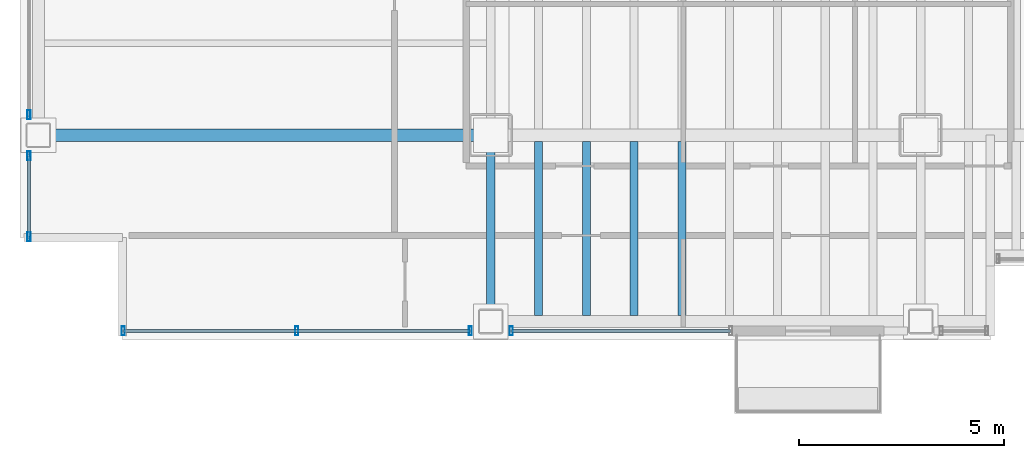
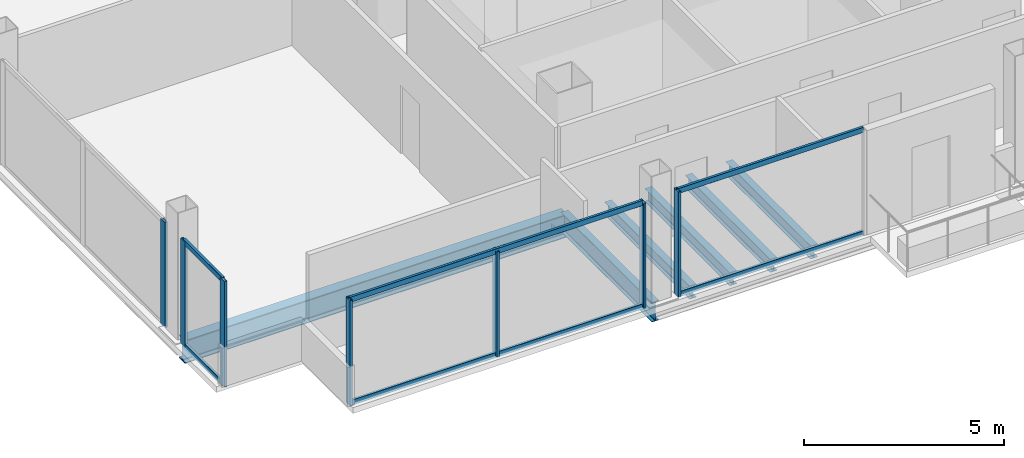
# One storey, part 2 of 21: 13 members, 6 beams, 4 elements without a shape of their own.
"""IFC4 building model written with IfcOpenShell, lengths in metres."""

import ifcopenshell
import ifcopenshell.guid

model = None  # the IFC model being written
_history = None  # IfcOwnerHistory: only IFC2X3 demands one
_inside = {}  # id of a spatial element -> (the spatial element, [elements in it])
_under = {}  # id of a project, library or spatial element -> (it, [spatial elements below it])
_declared = {}  # id of a project -> (the project, [libraries it declares])
_typed = {}  # id of a type object -> (the type object, [elements of that type])
_made_of = {}  # id of a material, layer set ... -> (it, [elements and type objects made of it])


def new_model(schema):
    """Start an empty IFC model of exactly this schema.

    Asked for "IFC4X3", IfcOpenShell would pick the latest addendum, in which some entities
    have other attributes; the version numbers below select the first issue.
    IFC2X3 requires an IfcOwnerHistory on every rooted entity: one is made here for all.
    """
    global model, _history
    if schema == "IFC4X3":
        model = ifcopenshell.file(schema_version=(4, 3, 0, 0))
    else:
        model = ifcopenshell.file(schema=schema)
    _inside.clear()
    _under.clear()
    _declared.clear()
    _typed.clear()
    _made_of.clear()
    _history = None
    if model.schema == "IFC2X3":
        org = make("IfcOrganization", Name="unknown")
        user = make(
            "IfcPersonAndOrganization",
            ThePerson=make("IfcPerson", FamilyName="unknown"),
            TheOrganization=org,
        )
        app = make(
            "IfcApplication",
            ApplicationDeveloper=org,
            Version="unknown",
            ApplicationFullName="unknown",
            ApplicationIdentifier="unknown",
        )
        _history = make(
            "IfcOwnerHistory",
            OwningUser=user,
            OwningApplication=app,
            ChangeAction="ADDED",
            CreationDate=0,
        )
    return model


def make(cls, **values):
    """One entity of the class cls with the attributes given. An attribute that is None is left unset."""
    return model.create_entity(
        cls, **{name: value for name, value in values.items() if value is not None}
    )


def rooted(cls, **values):
    """An entity with a GlobalId (a new one), such as an element, a storey or a relation."""
    return make(cls, GlobalId=ifcopenshell.guid.new(), OwnerHistory=_history, **values)


def si_unit(unit_type, name, prefix=None):
    """IfcSIUnit, for example si_unit("LENGTHUNIT", "METRE", prefix="MILLI")."""
    return make("IfcSIUnit", UnitType=unit_type, Prefix=prefix, Name=name)


def assignment(units):
    """IfcUnitAssignment: the units of a project."""
    return None if units is None else make("IfcUnitAssignment", Units=units)


def point(xyz):
    """IfcCartesianPoint."""
    return None if xyz is None else make("IfcCartesianPoint", Coordinates=xyz)


def direction(xyz):
    """IfcDirection."""
    return None if xyz is None else make("IfcDirection", DirectionRatios=xyz)


def frame(location, z_axis=None, x_axis=None):
    """IfcAxis2Placement3D, a coordinate frame: its origin and axes. An axis left out is left unset."""
    return make(
        "IfcAxis2Placement3D",
        Location=point(location),
        Axis=direction(z_axis),
        RefDirection=direction(x_axis),
    )


def frame_2d(location, x_axis=None):
    """IfcAxis2Placement2D, a coordinate frame in the plane: its origin and x axis."""
    return make(
        "IfcAxis2Placement2D", Location=point(location), RefDirection=direction(x_axis)
    )


def origin():
    """The frame at (0, 0, 0) with its axes left unset."""
    return frame((0.0, 0.0, 0.0))


def origin_2d():
    """The frame at (0, 0) in the plane with its x axis left unset."""
    return frame_2d((0.0, 0.0))


def place(relative_to, where):
    """IfcLocalPlacement: puts the frame where relative to a parent placement (None: the world)."""
    return make(
        "IfcLocalPlacement", PlacementRelTo=relative_to, RelativePlacement=where
    )


def context(
    kind, dimensions, precision=None, world=None, true_north=None, identifier=None
):
    """IfcGeometricRepresentationContext, for example the 3D "Model" context."""
    return make(
        "IfcGeometricRepresentationContext",
        ContextIdentifier=identifier,
        ContextType=kind,
        CoordinateSpaceDimension=dimensions,
        Precision=precision,
        WorldCoordinateSystem=world,
        TrueNorth=true_north,
    )


def subcontext(parent, identifier, kind, view, scale=None):
    """IfcGeometricRepresentationSubContext, for example "Body" below "Model"."""
    return make(
        "IfcGeometricRepresentationSubContext",
        ContextIdentifier=identifier,
        ContextType=kind,
        ParentContext=parent,
        TargetScale=scale,
        TargetView=view,
    )


def project(units=None, contexts=None):
    """IfcProject with its units and contexts."""
    return rooted(
        "IfcProject",
        Name="project",
        RepresentationContexts=contexts,
        UnitsInContext=assignment(units),
    )


def spatial(cls, under=None, at=None, **own):
    """A site, building, storey or space (cls), placed at a placement, below another one or the project."""
    s = rooted(cls, ObjectPlacement=at, **own)
    if under is not None:
        _under.setdefault(under.id(), (under, []))[1].append(s)
    return s


def profile(cls, at=None, kind="AREA", **sizes):
    """A parametric profile (cls). Its sizes go by their IFC names, for example OverallWidth=200.0."""
    return make(cls, ProfileType=kind, Position=at, **sizes)


def hollow_rectangle(**sizes):
    """IfcRectangleHollowProfileDef."""
    return profile("IfcRectangleHollowProfileDef", **sizes)


def i_section(**sizes):
    """IfcIShapeProfileDef."""
    return profile("IfcIShapeProfileDef", **sizes)


def extrude(swept, where, along, depth):
    """IfcExtrudedAreaSolid: the profile swept, set in the frame where, extruded along a direction by depth."""
    return make(
        "IfcExtrudedAreaSolid",
        SweptArea=swept,
        Position=where,
        ExtrudedDirection=direction(along),
        Depth=depth,
    )


def shape(context_of_items, identifier, shape_type, items):
    """IfcShapeRepresentation: the items that make up one representation, for example the "Body"."""
    return make(
        "IfcShapeRepresentation",
        ContextOfItems=context_of_items,
        RepresentationIdentifier=identifier,
        RepresentationType=shape_type,
        Items=items,
    )


def material(Name=None, Category=None):
    """IfcMaterial."""
    return make("IfcMaterial", Name=Name, Category=Category)


def material_profile(
    of_material, cross_section, Name=None, Category=None, Priority=None
):
    """IfcMaterialProfile: a cross section and its material."""
    return make(
        "IfcMaterialProfile",
        Name=Name,
        Material=of_material,
        Profile=cross_section,
        Priority=Priority,
        Category=Category,
    )


def profile_set(profiles, Name=None, composite=None):
    """IfcMaterialProfileSet."""
    return make(
        "IfcMaterialProfileSet",
        Name=Name,
        MaterialProfiles=profiles,
        CompositeProfile=composite,
    )


def made_of(thing, what):
    """Note that an element or type object is made of a material, layer set ...; save() writes the relation."""
    if what is not None:
        _made_of.setdefault(what.id(), (what, []))[1].append(thing)
    return thing


def type_object(cls, material=None, **own):
    """A type object (cls), such as IfcWallType, which elements share."""
    return made_of(rooted(cls, **own), material)


def element(
    cls,
    number,
    at=None,
    inside=None,
    cuts=None,
    type_object=None,
    material=None,
    context=None,
    identifier="Body",
    shape_type=None,
    held_by="IfcProductDefinitionShape",
    body=None,
    shapes=None,
    **own,
):
    """One element of the class cls, such as IfcWall. Its Tag is "e" and its number.

    at: its placement. inside: the storey or other place that contains it. cuts: it is an
    opening in that element (IfcRelVoidsElement). A single representation is given by context,
    identifier, shape_type and body (its items); several are given by shapes. held_by: the class
    of the entity that holds the representations. save() writes the other relations.
    """
    e = rooted(cls, Tag="e%d" % number, ObjectPlacement=at, **own)
    if body is not None:
        shapes = [shape(context, identifier, shape_type, body)]
    if shapes is not None:
        e.Representation = make(held_by, Representations=shapes)
    if inside is not None:
        _inside.setdefault(inside.id(), (inside, []))[1].append(e)
    if cuts is not None:
        rooted(
            "IfcRelVoidsElement", RelatingBuildingElement=cuts, RelatedOpeningElement=e
        )
    if type_object is not None:
        _typed.setdefault(type_object.id(), (type_object, []))[1].append(e)
    return made_of(e, material)


def aggregate(whole, parts):
    """IfcRelAggregates: a whole, such as a stair, and the parts it consists of."""
    return rooted("IfcRelAggregates", RelatingObject=whole, RelatedObjects=parts)


def save(model, path):
    """Write the relations noted so far, then the file.

    IfcRelAggregates (storeys below a building ...), IfcRelContainedInSpatialStructure (elements
    in a storey), IfcRelDefinesByType, IfcRelAssociatesMaterial and IfcRelDeclares: one each for
    every whole, place, type object, material and project.
    """
    for whole, parts in _under.values():
        aggregate(whole, parts)
    for where, things in _inside.values():
        rooted(
            "IfcRelContainedInSpatialStructure",
            RelatedElements=things,
            RelatingStructure=where,
        )
    for kind, things in _typed.values():
        rooted("IfcRelDefinesByType", RelatedObjects=things, RelatingType=kind)
    for what, things in _made_of.values():
        rooted("IfcRelAssociatesMaterial", RelatedObjects=things, RelatingMaterial=what)
    for by, libraries in _declared.values():
        rooted("IfcRelDeclares", RelatingContext=by, RelatedDefinitions=libraries)
    model.write(path)


model = new_model("IFC4")

# Units and contexts
model_context = context("Model", 3, precision=1e-05, world=origin(), true_north=direction((0.0, 1.0)))
body_context = subcontext(model_context, "Body", "Model", "MODEL_VIEW")
ifc_project = project(units=[si_unit("LENGTHUNIT", "METRE"), si_unit("AREAUNIT", "SQUARE_METRE"), si_unit("VOLUMEUNIT", "CUBIC_METRE"), si_unit("PLANEANGLEUNIT", "RADIAN"), si_unit("MASSUNIT", "GRAM", prefix="KILO")], contexts=[model_context])

# Site, building, storey
site_placement = place(None, origin())
site = spatial("IfcSite", under=ifc_project, at=site_placement, CompositionType="ELEMENT")
building_placement = place(site_placement, origin())
building = spatial("IfcBuilding", under=site, at=building_placement, Name="Noeulbin Bourse Tower", CompositionType="ELEMENT")
storey_placement = place(building_placement, frame((0.0, 0.0, 46.0)))
storey = spatial("IfcBuildingStorey", under=building, at=storey_placement, Name="L11", CompositionType="ELEMENT", Elevation=46.0)

# Beams
ifc_material_1 = material(Name="Steel S355", Category="steel")
ifc_material_profile_1 = material_profile(ifc_material_1, i_section(OverallWidth=0.199951171875, OverallDepth=0.60009765625, WebThickness=0.010986328125, FlangeThickness=0.01708984375, FilletRadius=0.02197265625, at=origin_2d()), Name="H-600x200x11x17", Category="LoadBearing")
ifc_profile_set_1 = profile_set([ifc_material_profile_1], Name="Steel S355")
beam_type_1 = type_object("IfcBeamType", Name="BM-GRD-600", PredefinedType="USERDEFINED", material=ifc_profile_set_1)
beam_1_placement = place(storey_placement, frame((13.5, 15.449951171875, -0.47998046875), z_axis=(0.0, 1.0, 0.0), x_axis=(-1.0, 0.0, 0.0)))
element("IfcBeam", 1, at=beam_1_placement, inside=storey, type_object=beam_type_1, Name="Tower Primary Girder NS L11-1.1", ObjectType="GIRDER", PredefinedType="USERDEFINED", context=body_context, shape_type="SweptSolid", body=[
    extrude(i_section(OverallWidth=0.199951171875, OverallDepth=0.60009765625, WebThickness=0.010986328125, FlangeThickness=0.01708984375, FilletRadius=0.02197265625, at=origin_2d()), origin(), (0.0, 0.0, 1.0), 4.550048828125),
])
ifc_material_profile_2 = material_profile(ifc_material_1, i_section(OverallWidth=0.300048828125, OverallDepth=0.699951171875, WebThickness=0.012939453125, FlangeThickness=0.02392578125, FilletRadius=0.02392578125, at=origin_2d()), Name="H-700x300x13x24", Category="LoadBearing")
ifc_profile_set_2 = profile_set([ifc_material_profile_2], Name="Steel S355")
beam_type_2 = type_object("IfcBeamType", Name="BM-GRD-700", PredefinedType="USERDEFINED", material=ifc_profile_set_2)
beam_2_placement = place(storey_placement, frame((2.449951171875, 20.0, -0.530029296875), z_axis=(1.0, 0.0, 0.0), x_axis=(0.0, 1.0, 0.0)))
element("IfcBeam", 2, at=beam_2_placement, inside=storey, type_object=beam_type_2, Name="Tower Primary Girder EW L11-1.1", ObjectType="GIRDER", PredefinedType="USERDEFINED", context=body_context, shape_type="SweptSolid", body=[
    extrude(i_section(OverallWidth=0.300048828125, OverallDepth=0.699951171875, WebThickness=0.012939453125, FlangeThickness=0.02392578125, FilletRadius=0.02392578125, at=origin_2d()), origin(), (0.0, 0.0, 1.0), 11.050048828125),
])
ifc_material_profile_3 = material_profile(ifc_material_1, i_section(OverallWidth=0.199951171875, OverallDepth=0.39990234375, WebThickness=0.008056640625, FlangeThickness=0.012939453125, FilletRadius=0.01611328125, at=origin_2d()), Name="H-400x200x8x13", Category="LoadBearing")
ifc_profile_set_3 = profile_set([ifc_material_profile_3], Name="Steel S355")
beam_type_3 = type_object("IfcBeamType", Name="BM-SEC-400", PredefinedType="BEAM", material=ifc_profile_set_3)
for number, where, z_axis, x_axis, name in (
    (3, (14.666748046875, 15.60009765625, -0.3798828125), (0.0, 1.0, 0.0), (-1.0, 0.0, 0.0), "Tower Composite Joist L11-01"),
    (4, (15.833251953125, 15.60009765625, -0.3798828125), (0.0, 1.0, 0.0), (-1.0, 0.0, 0.0), "Tower Composite Joist L11-04"),
    (5, (17.0, 15.60009765625, -0.3798828125), (0.0, 1.0, 0.0), (-1.0, 0.0, 0.0), "Tower Composite Joist L11-07"),
    (6, (18.166748046875, 15.60009765625, -0.3798828125), (0.0, 1.0, 0.0), (-1.0, 0.0, 0.0), "Tower Composite Joist L11-10"),
):
    element("IfcBeam", number, at=place(storey_placement, frame(where, z_axis=z_axis, x_axis=x_axis)), inside=storey, type_object=beam_type_3, Name=name, PredefinedType="BEAM", context=body_context, shape_type="SweptSolid", body=[
        extrude(i_section(OverallWidth=0.199951171875, OverallDepth=0.39990234375, WebThickness=0.008056640625, FlangeThickness=0.012939453125, FilletRadius=0.01611328125, at=origin_2d()), origin(), (0.0, 0.0, 1.0), 4.25),
    ])

# Curtain wall, members
ifc_material_2 = material(Name="Dark Solar-Control Double Glazing", Category="glass")
curtain_wall_type = type_object("IfcCurtainWallType", Name="CW-SYS-2", PredefinedType="NOTDEFINED", material=ifc_material_2)
curtain_wall_1_placement = place(storey_placement, origin())
curtain_wall_1 = element("IfcCurtainWall", 7, at=curtain_wall_1_placement, inside=storey, type_object=curtain_wall_type, Name="Unitised Curtain Wall CW-L11-S1-S1", PredefinedType="NOTDEFINED")
ifc_material_3 = material(Name="Anodised Aluminium 6063-T6", Category="aluminium")
ifc_material_profile_4 = material_profile(ifc_material_3, hollow_rectangle(XDim=0.074951171875, YDim=0.219970703125, WallThickness=0.0048828125, InnerFilletRadius=0.00244140625, OuterFilletRadius=0.0048828125, at=origin_2d()), Name="ALU-MULL-75x220x5", Category="LoadBearing")
ifc_profile_set_4 = profile_set([ifc_material_profile_4], Name="Anodised Aluminium 6063-T6")
member_type_1 = type_object("IfcMemberType", Name="CW-SYS-2-MUL", PredefinedType="MULLION", material=ifc_profile_set_4)
member_1_placement = place(storey_placement, frame((4.52001953125, 15.219970703125, -0.02001953125), z_axis=(0.0, 0.0, 1.0), x_axis=(1.0, 0.0, 0.0)))
member_1 = element("IfcMember", 8, at=member_1_placement, type_object=member_type_1, Name="Curtain Wall Mullion CW-L11-S1-S1-M00", PredefinedType="MULLION", context=body_context, shape_type="SweptSolid", body=[
    extrude(hollow_rectangle(XDim=0.074951171875, YDim=0.219970703125, WallThickness=0.0048828125, InnerFilletRadius=0.00244140625, OuterFilletRadius=0.0048828125, at=origin_2d()), origin(), (0.0, 0.0, 1.0), 3.219970703125),
])
member_2_placement = place(storey_placement, frame((8.760009765625, 15.219970703125, -0.02001953125), z_axis=(0.0, 0.0, 1.0), x_axis=(1.0, 0.0, 0.0)))
member_2 = element("IfcMember", 9, at=member_2_placement, type_object=member_type_1, Name="Curtain Wall Mullion CW-L11-S1-S1-M01", PredefinedType="MULLION", context=body_context, shape_type="SweptSolid", body=[
    extrude(hollow_rectangle(XDim=0.074951171875, YDim=0.219970703125, WallThickness=0.0048828125, InnerFilletRadius=0.00244140625, OuterFilletRadius=0.0048828125, at=origin_2d()), origin(), (0.0, 0.0, 1.0), 3.219970703125),
])
member_3_placement = place(storey_placement, frame((13.0, 15.219970703125, -0.02001953125), z_axis=(0.0, 0.0, 1.0), x_axis=(1.0, 0.0, 0.0)))
member_3 = element("IfcMember", 10, at=member_3_placement, type_object=member_type_1, Name="Curtain Wall Mullion CW-L11-S1-S1-M02", PredefinedType="MULLION", context=body_context, shape_type="SweptSolid", body=[
    extrude(hollow_rectangle(XDim=0.074951171875, YDim=0.219970703125, WallThickness=0.0048828125, InnerFilletRadius=0.00244140625, OuterFilletRadius=0.0048828125, at=origin_2d()), origin(), (0.0, 0.0, 1.0), 3.219970703125),
])

# Curtain wall, member
curtain_wall_2_placement = place(storey_placement, origin())
curtain_wall_2 = element("IfcCurtainWall", 11, at=curtain_wall_2_placement, inside=storey, type_object=curtain_wall_type, Name="Unitised Curtain Wall CW-L11-S1-S2", PredefinedType="NOTDEFINED")
member_4_placement = place(storey_placement, frame((14.0, 15.219970703125, -0.02001953125), z_axis=(0.0, 0.0, 1.0), x_axis=(1.0, 0.0, 0.0)))
member_4 = element("IfcMember", 12, at=member_4_placement, type_object=member_type_1, Name="Curtain Wall Mullion CW-L11-S1-S2-M00", PredefinedType="MULLION", context=body_context, shape_type="SweptSolid", body=[
    extrude(hollow_rectangle(XDim=0.074951171875, YDim=0.219970703125, WallThickness=0.0048828125, InnerFilletRadius=0.00244140625, OuterFilletRadius=0.0048828125, at=origin_2d()), origin(), (0.0, 0.0, 1.0), 3.219970703125),
])

# Curtain wall, members
curtain_wall_3_placement = place(storey_placement, origin())
curtain_wall_3 = element("IfcCurtainWall", 13, at=curtain_wall_3_placement, inside=storey, type_object=curtain_wall_type, Name="Unitised Curtain Wall CW-L11-W-S1", PredefinedType="NOTDEFINED")
member_5_placement = place(storey_placement, frame((2.219970703125, 17.52001953125, -0.02001953125), z_axis=(0.0, 0.0, 1.0), x_axis=(1.0, 0.0, 0.0)))
member_5 = element("IfcMember", 14, at=member_5_placement, type_object=member_type_1, Name="Curtain Wall Mullion CW-L11-W-S1-M00", PredefinedType="MULLION", context=body_context, shape_type="SweptSolid", body=[
    extrude(hollow_rectangle(XDim=0.074951171875, YDim=0.219970703125, WallThickness=0.0048828125, InnerFilletRadius=0.00244140625, OuterFilletRadius=0.0048828125, at=origin_2d()), origin(), (0.0, 0.0, 1.0), 3.219970703125),
])
member_6_placement = place(storey_placement, frame((2.219970703125, 19.5, -0.02001953125), z_axis=(0.0, 0.0, 1.0), x_axis=(1.0, 0.0, 0.0)))
member_6 = element("IfcMember", 15, at=member_6_placement, type_object=member_type_1, Name="Curtain Wall Mullion CW-L11-W-S1-M01", PredefinedType="MULLION", context=body_context, shape_type="SweptSolid", body=[
    extrude(hollow_rectangle(XDim=0.074951171875, YDim=0.219970703125, WallThickness=0.0048828125, InnerFilletRadius=0.00244140625, OuterFilletRadius=0.0048828125, at=origin_2d()), origin(), (0.0, 0.0, 1.0), 3.219970703125),
])

# Curtain wall, member
curtain_wall_4_placement = place(storey_placement, origin())
curtain_wall_4 = element("IfcCurtainWall", 16, at=curtain_wall_4_placement, inside=storey, type_object=curtain_wall_type, Name="Unitised Curtain Wall CW-L11-W-S2", PredefinedType="NOTDEFINED")
member_7_placement = place(storey_placement, frame((2.219970703125, 20.5, -0.02001953125), z_axis=(0.0, 0.0, 1.0), x_axis=(1.0, 0.0, 0.0)))
member_7 = element("IfcMember", 17, at=member_7_placement, type_object=member_type_1, Name="Curtain Wall Mullion CW-L11-W-S2-M00", PredefinedType="MULLION", context=body_context, shape_type="SweptSolid", body=[
    extrude(hollow_rectangle(XDim=0.074951171875, YDim=0.219970703125, WallThickness=0.0048828125, InnerFilletRadius=0.00244140625, OuterFilletRadius=0.0048828125, at=origin_2d()), origin(), (0.0, 0.0, 1.0), 3.219970703125),
])
aggregate(curtain_wall_4, [member_7])

# Member
ifc_material_profile_5 = material_profile(ifc_material_3, hollow_rectangle(XDim=0.074951171875, YDim=0.159912109375, WallThickness=0.0048828125, InnerFilletRadius=0.00244140625, OuterFilletRadius=0.0048828125, at=origin_2d()), Name="ALU-TRAN-75x160x5", Category="LoadBearing")
ifc_profile_set_5 = profile_set([ifc_material_profile_5], Name="Anodised Aluminium 6063-T6")
member_type_2 = type_object("IfcMemberType", Name="CW-SYS-2-TRN", PredefinedType="USERDEFINED", material=ifc_profile_set_5)
member_8_placement = place(storey_placement, frame((4.530029296875, 15.219970703125, 0.010009765625), z_axis=(1.0, 0.0, 0.0), x_axis=(0.0, 1.0, 0.0)))
member_8 = element("IfcMember", 18, at=member_8_placement, type_object=member_type_2, Name="Curtain Wall Transom CW-L11-S1-S1-T00", ObjectType="TRANSOM", PredefinedType="USERDEFINED", context=body_context, shape_type="SweptSolid", body=[
    extrude(hollow_rectangle(XDim=0.074951171875, YDim=0.159912109375, WallThickness=0.0048828125, InnerFilletRadius=0.00244140625, OuterFilletRadius=0.0048828125, at=origin_2d()), origin(), (0.0, 0.0, 1.0), 8.4599609375),
])

member_9_placement = place(storey_placement, frame((4.530029296875, 15.219970703125, 3.169921875), z_axis=(1.0, 0.0, 0.0), x_axis=(0.0, 1.0, 0.0)))
member_9 = element("IfcMember", 19, at=member_9_placement, type_object=member_type_2, Name="Curtain Wall Transom CW-L11-S1-S1-T01", ObjectType="TRANSOM", PredefinedType="USERDEFINED", context=body_context, shape_type="SweptSolid", body=[
    extrude(hollow_rectangle(XDim=0.074951171875, YDim=0.159912109375, WallThickness=0.0048828125, InnerFilletRadius=0.00244140625, OuterFilletRadius=0.0048828125, at=origin_2d()), origin(), (0.0, 0.0, 1.0), 8.4599609375),
])

aggregate(curtain_wall_1, [member_1, member_2, member_3, member_8, member_9])

member_10_placement = place(storey_placement, frame((14.010009765625, 15.219970703125, 0.010009765625), z_axis=(1.0, 0.0, 0.0), x_axis=(0.0, 1.0, 0.0)))
member_10 = element("IfcMember", 20, at=member_10_placement, type_object=member_type_2, Name="Curtain Wall Transom CW-L11-S1-S2-T00", ObjectType="TRANSOM", PredefinedType="USERDEFINED", context=body_context, shape_type="SweptSolid", body=[
    extrude(hollow_rectangle(XDim=0.074951171875, YDim=0.159912109375, WallThickness=0.0048828125, InnerFilletRadius=0.00244140625, OuterFilletRadius=0.0048828125, at=origin_2d()), origin(), (0.0, 0.0, 1.0), 5.340087890625),
])

member_11_placement = place(storey_placement, frame((14.010009765625, 15.219970703125, 3.169921875), z_axis=(1.0, 0.0, 0.0), x_axis=(0.0, 1.0, 0.0)))
member_11 = element("IfcMember", 21, at=member_11_placement, type_object=member_type_2, Name="Curtain Wall Transom CW-L11-S1-S2-T01", ObjectType="TRANSOM", PredefinedType="USERDEFINED", context=body_context, shape_type="SweptSolid", body=[
    extrude(hollow_rectangle(XDim=0.074951171875, YDim=0.159912109375, WallThickness=0.0048828125, InnerFilletRadius=0.00244140625, OuterFilletRadius=0.0048828125, at=origin_2d()), origin(), (0.0, 0.0, 1.0), 5.340087890625),
])

aggregate(curtain_wall_2, [member_4, member_10, member_11])

member_12_placement = place(storey_placement, frame((2.219970703125, 17.530029296875, 0.010009765625), z_axis=(0.0, 1.0, 0.0), x_axis=(-1.0, 0.0, 0.0)))
member_12 = element("IfcMember", 22, at=member_12_placement, type_object=member_type_2, Name="Curtain Wall Transom CW-L11-W-S1-T00", ObjectType="TRANSOM", PredefinedType="USERDEFINED", context=body_context, shape_type="SweptSolid", body=[
    extrude(hollow_rectangle(XDim=0.074951171875, YDim=0.159912109375, WallThickness=0.0048828125, InnerFilletRadius=0.00244140625, OuterFilletRadius=0.0048828125, at=origin_2d()), origin(), (0.0, 0.0, 1.0), 1.9599609375),
])

member_13_placement = place(storey_placement, frame((2.219970703125, 17.530029296875, 3.169921875), z_axis=(0.0, 1.0, 0.0), x_axis=(-1.0, 0.0, 0.0)))
member_13 = element("IfcMember", 23, at=member_13_placement, type_object=member_type_2, Name="Curtain Wall Transom CW-L11-W-S1-T01", ObjectType="TRANSOM", PredefinedType="USERDEFINED", context=body_context, shape_type="SweptSolid", body=[
    extrude(hollow_rectangle(XDim=0.074951171875, YDim=0.159912109375, WallThickness=0.0048828125, InnerFilletRadius=0.00244140625, OuterFilletRadius=0.0048828125, at=origin_2d()), origin(), (0.0, 0.0, 1.0), 1.9599609375),
])

aggregate(curtain_wall_3, [member_5, member_6, member_12, member_13])

save(model, "model.ifc")
